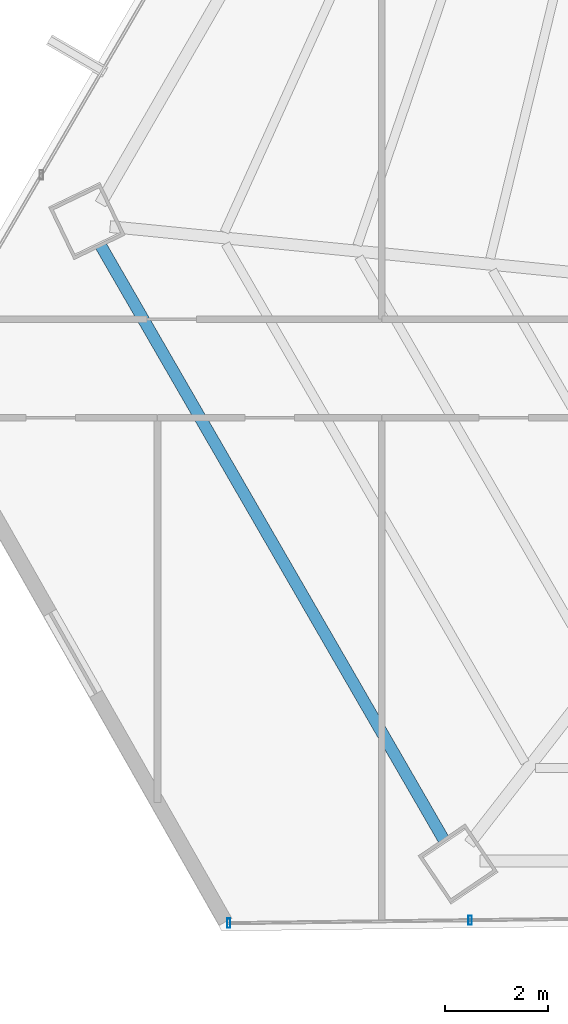
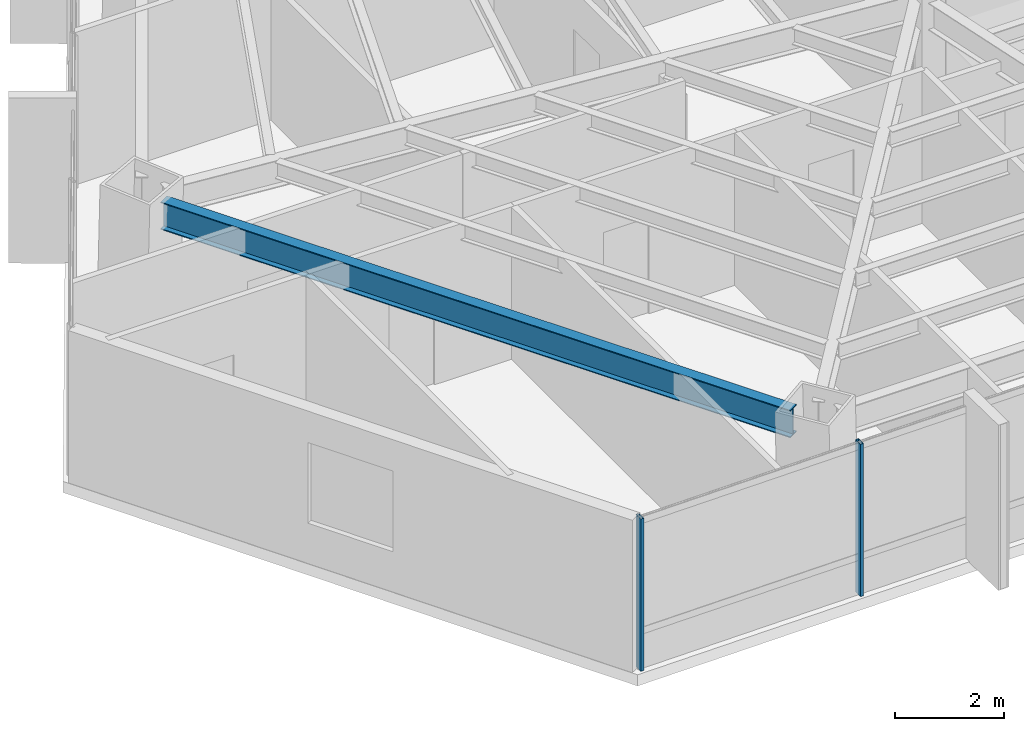
# One storey, part 4 of 37: 2 members, 1 beam, 1 element without a shape of its own.
"""IFC4 building model written with IfcOpenShell, lengths in metres."""

from ifc_helpers import new_model, si_unit, direction, frame, origin, origin_2d, place, context, subcontext, project, spatial, hollow_rectangle, i_section, extrude, source, transform, mapped, material, material_profile, profile_set, type_object, type_shapes, element, aggregate, save


model = new_model("IFC4")

# Units and contexts
model_context = context("Model", 3, precision=1e-05, world=origin(), true_north=direction((0.0, 1.0)))
body_context = subcontext(model_context, "Body", "Model", "MODEL_VIEW")
ifc_project = project(units=[si_unit("LENGTHUNIT", "METRE"), si_unit("AREAUNIT", "SQUARE_METRE"), si_unit("VOLUMEUNIT", "CUBIC_METRE"), si_unit("PLANEANGLEUNIT", "RADIAN"), si_unit("MASSUNIT", "GRAM", prefix="KILO")], contexts=[model_context])

# Site, building, storey
site_placement = place(None, origin())
site = spatial("IfcSite", under=ifc_project, at=site_placement, CompositionType="ELEMENT")
building_placement = place(site_placement, origin())
building = spatial("IfcBuilding", under=site, at=building_placement, Name="Caelisora Broadcast Tower", CompositionType="ELEMENT")
storey_placement = place(building_placement, frame((0.0, 0.0, 116.35009765625)))
storey = spatial("IfcBuildingStorey", under=building, at=storey_placement, Name="L30", CompositionType="ELEMENT", Elevation=116.35009765625)

# Beam
ifc_material_1 = material(Name="Steel Grade 350 (AS/NZS 3679.1)", Category="steel")
ifc_material_profile_1 = material_profile(ifc_material_1, i_section(OverallWidth=0.22900390625, OverallDepth=0.611572265625, WebThickness=0.011962890625, FlangeThickness=0.01953125, at=origin_2d()), Name="Steel Grade 350 (AS/NZS 3679.1)")
ifc_profile_set_1 = profile_set([ifc_material_profile_1], Name="Steel Grade 350 (AS/NZS 3679.1)")
beam_type = type_object("IfcBeamType", Name="PG03", PredefinedType="BEAM", material=ifc_profile_set_1)
shared_shape_1 = source(origin(), body_context, "Body", "SweptSolid", [
    extrude(i_section(OverallWidth=0.22900390625, OverallDepth=0.611572265625, WebThickness=0.011962890625, FlangeThickness=0.01953125, at=origin_2d()), origin(), (0.0, 0.0, 1.0), 13.288818359375),
])
type_shapes(beam_type, [shared_shape_1])
beam_placement = place(storey_placement, frame((15.248779296875, 18.536865234375, 3.093994140625), z_axis=(0.50001189137, -0.86601853819, 0.0), x_axis=(0.86601853819, 0.50001189137, 0.0)))
element("IfcBeam", 1, at=beam_placement, inside=storey, type_object=beam_type, Name="L30 beam PG03", PredefinedType="BEAM", context=body_context, shape_type="MappedRepresentation", body=[
    mapped(shared_shape_1, transform((0.0, 0.0, 0.0), scale=1.0)),
])

# Curtain wall, members
ifc_material_2 = material(Name="Unitised Aluminium and Low-E Glass Curtain Wall", Category="glass")
curtain_wall_type = type_object("IfcCurtainWallType", Name="CW-Z2", PredefinedType="NOTDEFINED", material=ifc_material_2)
curtain_wall_placement = place(storey_placement, origin())
curtain_wall = element("IfcCurtainWall", 2, at=curtain_wall_placement, inside=storey, type_object=curtain_wall_type, Name="L30 curtain wall CW-Z2", PredefinedType="NOTDEFINED")
ifc_material_3 = material(Name="Aluminium 6063-T6 Anodised Terracotta Bronze", Category="aluminium")
ifc_material_profile_2 = material_profile(ifc_material_3, hollow_rectangle(XDim=0.06494140625, YDim=0.179931640625, WallThickness=0.00341796875, at=origin_2d()), Name="Aluminium 6063-T6 Anodised Terracotta Bronze")
ifc_profile_set_2 = profile_set([ifc_material_profile_2], Name="Aluminium 6063-T6 Anodised Terracotta Bronze")
member_type = type_object("IfcMemberType", Name="CWM-02", PredefinedType="MULLION", material=ifc_profile_set_2)
shared_shape_2 = source(origin(), body_context, "Body", "SweptSolid", [
    extrude(hollow_rectangle(XDim=0.06494140625, YDim=0.179931640625, WallThickness=0.00341796875, at=origin_2d()), origin(), (0.0, 0.0, 1.0), 3.39990234375),
])
type_shapes(member_type, [shared_shape_2])
member_1_placement = place(storey_placement, frame((22.397705078125, 5.4833984375, 0.0), z_axis=(0.0, 0.0, 1.0), x_axis=(1.0, 0.0, 0.0)))
member_1 = element("IfcMember", 3, at=member_1_placement, type_object=member_type, Name="L30-CW-B07 mullion #2", PredefinedType="MULLION", context=body_context, shape_type="MappedRepresentation", body=[
    mapped(shared_shape_2, transform((0.0, 0.0, 0.0), scale=1.0)),
])
member_2_placement = place(storey_placement, frame((17.73095703125, 5.425537109375, 0.0), z_axis=(0.0, 0.0, 1.0), x_axis=(1.0, 0.0, 0.0)))
member_2 = element("IfcMember", 4, at=member_2_placement, type_object=member_type, Name="L30-CW-B07 mullion #3", PredefinedType="MULLION", context=body_context, shape_type="MappedRepresentation", body=[
    mapped(shared_shape_2, transform((0.0, 0.0, 0.0), scale=1.0)),
])
aggregate(curtain_wall, [member_1, member_2])

save(model, "model.ifc")
